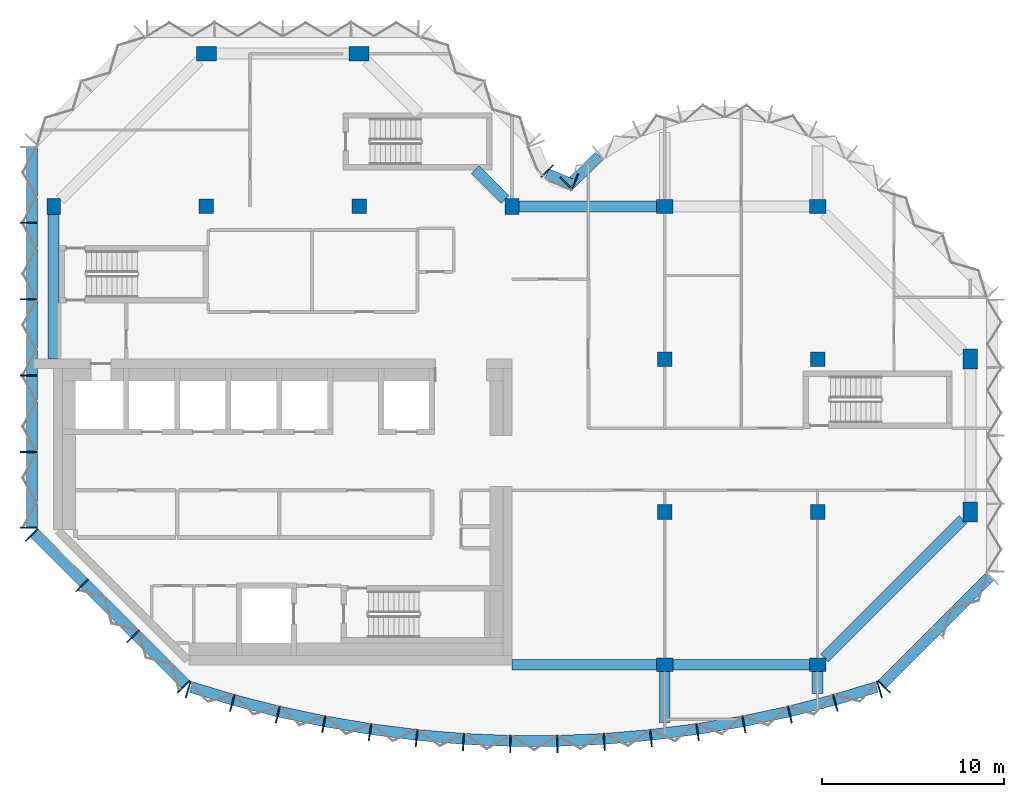
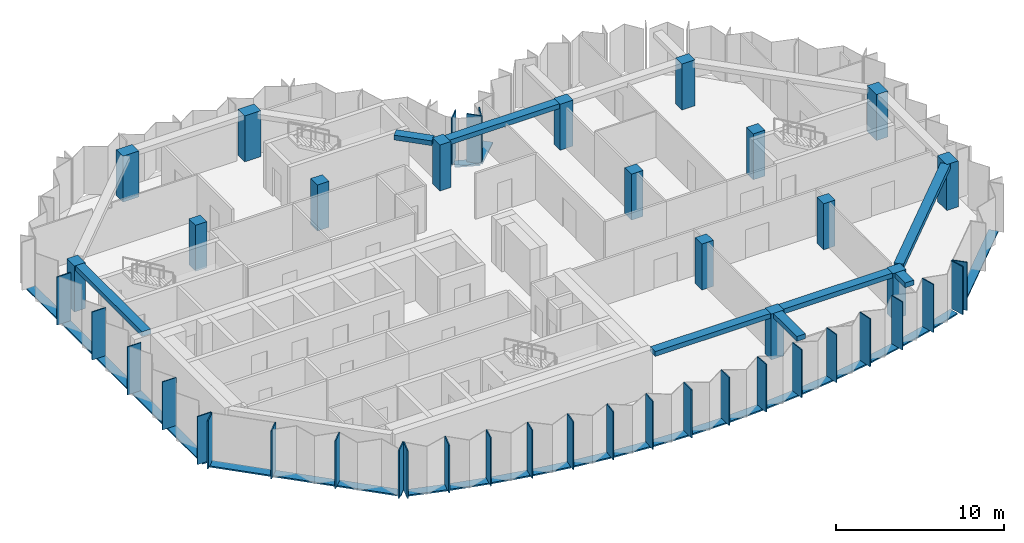
# One storey, part 1 of 10: 49 members, 16 columns, 8 beams, 6 elements without a shape of their own.
"""IFC4 building model written with IfcOpenShell, lengths in metres."""

from ifc_helpers import new_model, si_unit, direction, frame, origin, origin_2d, place, context, subcontext, project, spatial, rectangle, extrude, material, material_profile, profile_set, type_object, element, aggregate, save


model = new_model("IFC4")

# Units and contexts
model_context = context("Model", 3, precision=1e-05, world=origin(), true_north=direction((0.0, 1.0)))
body_context = subcontext(model_context, "Body", "Model", "MODEL_VIEW")
ifc_project = project(units=[si_unit("LENGTHUNIT", "METRE"), si_unit("AREAUNIT", "SQUARE_METRE"), si_unit("VOLUMEUNIT", "CUBIC_METRE"), si_unit("PLANEANGLEUNIT", "RADIAN"), si_unit("MASSUNIT", "GRAM", prefix="KILO")], contexts=[model_context])

# Site, building, storey
site_placement = place(None, origin())
site = spatial("IfcSite", under=ifc_project, at=site_placement, CompositionType="ELEMENT")
building_placement = place(site_placement, origin())
building = spatial("IfcBuilding", under=site, at=building_placement, Name="Brevane Broadcast Tower", CompositionType="ELEMENT")
storey_placement = place(building_placement, frame((0.0, 0.0, 233.699951171875)))
storey = spatial("IfcBuildingStorey", under=building, at=storey_placement, Name="L59", CompositionType="ELEMENT", Elevation=233.699951171875)

# Columns
ifc_material_1 = material(Name="Concrete C50/60", Category="concrete")
ifc_material_profile_1 = material_profile(ifc_material_1, rectangle(XDim=0.75, YDim=0.89990234375, at=origin_2d()), Name="RC 750x900")
ifc_profile_set_1 = profile_set([ifc_material_profile_1], Name="Concrete C50/60")
column_type_1 = type_object("IfcColumnType", Name="RC COLUMN EDGE 750x900 C50/60", PredefinedType="COLUMN", material=ifc_profile_set_1)
for number, where, z_axis, x_axis, name in (
    (1, (0.0, 25.199951171875, 0.0), (0.0, 0.0, 1.0), (1.0, 0.0, 0.0), "CE14 1/D"),
    (2, (25.199951171875, 25.199951171875, 0.0), (0.0, 0.0, 1.0), (1.0, 0.0, 0.0), "CE14 4/D"),
    (3, (33.60009765625, 0.0, 0.0), (0.0, 0.0, 1.0), (0.0, 1.0, 0.0), "CE14 5/A"),
    (4, (33.60009765625, 25.199951171875, 0.0), (0.0, 0.0, 1.0), (0.0, 1.0, 0.0), "CE14 5/D"),
    (5, (42.0, 0.0, 0.0), (0.0, 0.0, 1.0), (0.0, 1.0, 0.0), "CE14 6/A"),
    (6, (42.0, 25.199951171875, 0.0), (0.0, 0.0, 1.0), (0.0, 1.0, 0.0), "CE14 6/D"),
):
    element("IfcColumn", number, at=place(storey_placement, frame(where, z_axis=z_axis, x_axis=x_axis)), inside=storey, type_object=column_type_1, Name=name, PredefinedType="COLUMN", context=body_context, shape_type="SweptSolid", body=[
        extrude(rectangle(XDim=0.75, YDim=0.89990234375, at=origin_2d()), origin(), (0.0, 0.0, 1.0), 3.35009765625),
    ])
ifc_material_profile_2 = material_profile(ifc_material_1, rectangle(XDim=0.800048828125, YDim=0.800048828125, at=origin_2d()), Name="RC 800x800")
ifc_profile_set_2 = profile_set([ifc_material_profile_2], Name="Concrete C50/60")
column_type_2 = type_object("IfcColumnType", Name="RC COLUMN INTERIOR 800x800 C50/60", PredefinedType="COLUMN", material=ifc_profile_set_2)
for number, where, z_axis, x_axis, name in (
    (7, (8.39990234375, 25.199951171875, 0.0), (0.0, 0.0, 1.0), (1.0, 0.0, 0.0), "CI15 2/D"),
    (8, (16.800048828125, 25.199951171875, 0.0), (0.0, 0.0, 1.0), (1.0, 0.0, 0.0), "CI15 3/D"),
    (9, (33.60009765625, 8.39990234375, 0.0), (0.0, 0.0, 1.0), (1.0, 0.0, 0.0), "CI15 5/B"),
    (10, (33.60009765625, 16.800048828125, 0.0), (0.0, 0.0, 1.0), (1.0, 0.0, 0.0), "CI15 5/C"),
    (11, (42.0, 8.39990234375, 0.0), (0.0, 0.0, 1.0), (1.0, 0.0, 0.0), "CI15 6/B"),
    (12, (42.0, 16.800048828125, 0.0), (0.0, 0.0, 1.0), (1.0, 0.0, 0.0), "CI15 6/C"),
):
    element("IfcColumn", number, at=place(storey_placement, frame(where, z_axis=z_axis, x_axis=x_axis)), inside=storey, type_object=column_type_2, Name=name, PredefinedType="COLUMN", context=body_context, shape_type="SweptSolid", body=[
        extrude(rectangle(XDim=0.800048828125, YDim=0.800048828125, at=origin_2d()), origin(), (0.0, 0.0, 1.0), 3.35009765625),
    ])
ifc_material_profile_3 = material_profile(ifc_material_1, rectangle(XDim=0.800048828125, YDim=1.10009765625, at=origin_2d()), Name="RC 800x1100")
ifc_profile_set_3 = profile_set([ifc_material_profile_3], Name="Concrete C50/60")
column_type_3 = type_object("IfcColumnType", Name="RC COLUMN WING-END 800x1100 C50/60", PredefinedType="COLUMN", material=ifc_profile_set_3)
for number, where, z_axis, x_axis, name in (
    (13, (8.39990234375, 33.60009765625, 0.0), (0.0, 0.0, 1.0), (0.0, 1.0, 0.0), "CW16 2/E"),
    (14, (16.800048828125, 33.60009765625, 0.0), (0.0, 0.0, 1.0), (0.0, 1.0, 0.0), "CW16 3/E"),
    (15, (50.39990234375, 8.39990234375, 0.0), (0.0, 0.0, 1.0), (1.0, 0.0, 0.0), "CW16 7/B"),
    (16, (50.39990234375, 16.800048828125, 0.0), (0.0, 0.0, 1.0), (1.0, 0.0, 0.0), "CW16 7/C"),
):
    element("IfcColumn", number, at=place(storey_placement, frame(where, z_axis=z_axis, x_axis=x_axis)), inside=storey, type_object=column_type_3, Name=name, PredefinedType="COLUMN", context=body_context, shape_type="SweptSolid", body=[
        extrude(rectangle(XDim=0.800048828125, YDim=1.10009765625, at=origin_2d()), origin(), (0.0, 0.0, 1.0), 3.35009765625),
    ])

# Curtain wall, members
ifc_material_2 = material(Name="Aluminium 6063-T6 bronze anodised", Category="aluminium")
curtain_wall_type = type_object("IfcCurtainWallType", Name="CW-1 curtain wall", PredefinedType="NOTDEFINED", material=ifc_material_2)
curtain_wall_1_placement = place(storey_placement, origin())
curtain_wall_1 = element("IfcCurtainWall", 17, at=curtain_wall_1_placement, inside=storey, type_object=curtain_wall_type, Name="CW-1 typical tilted unit L59 south bow", PredefinedType="NOTDEFINED")
ifc_material_profile_4 = material_profile(ifc_material_2, rectangle(XDim=0.949951171875, YDim=0.070068359375, at=origin_2d()), Name="RECT 70x950")
ifc_profile_set_4 = profile_set([ifc_material_profile_4], Name="Aluminium 6063-T6 bronze anodised")
member_type_1 = type_object("IfcMemberType", Name="CW-1 mullion 70x950", PredefinedType="MULLION", material=ifc_profile_set_4)
member_1_placement = place(storey_placement, frame((7.396240234375, -1.36474609375, -0.14990234375), z_axis=(0.0, 0.0, 1.0), x_axis=(0.288968122518, 0.957338719664, 0.0)))
member_1 = element("IfcMember", 18, at=member_1_placement, type_object=member_type_1, Name="CW-1 mullion", PredefinedType="MULLION", context=body_context, shape_type="SweptSolid", body=[
    extrude(rectangle(XDim=0.949951171875, YDim=0.070068359375, at=origin_2d()), origin(), (0.0, 0.0, 1.0), 3.5),
])
member_2_placement = place(storey_placement, frame((9.824951171875, -2.097900390625, -0.14990234375), z_axis=(0.0, 0.0, 1.0), x_axis=(0.268915519935, 0.963163767559, 0.0)))
member_2 = element("IfcMember", 19, at=member_2_placement, type_object=member_type_1, Name="CW-1 mullion", PredefinedType="MULLION", context=body_context, shape_type="SweptSolid", body=[
    extrude(rectangle(XDim=0.949951171875, YDim=0.070068359375, at=origin_2d()), origin(), (0.0, 0.0, 1.0), 3.5),
])
member_3_placement = place(storey_placement, frame((12.325439453125, -2.739990234375, -0.14990234375), z_axis=(0.0, 0.0, 1.0), x_axis=(0.228467410001, 0.97355156133, 0.0)))
member_3 = element("IfcMember", 20, at=member_3_placement, type_object=member_type_1, Name="CW-1 mullion", PredefinedType="MULLION", context=body_context, shape_type="SweptSolid", body=[
    extrude(rectangle(XDim=0.949951171875, YDim=0.070068359375, at=origin_2d()), origin(), (0.0, 0.0, 1.0), 3.5),
])
member_4_placement = place(storey_placement, frame((14.8505859375, -3.277099609375, -0.14990234375), z_axis=(0.0, 0.0, 1.0), x_axis=(0.187620976959, 0.982241502384, 0.0)))
member_4 = element("IfcMember", 21, at=member_4_placement, type_object=member_type_1, Name="CW-1 mullion", PredefinedType="MULLION", context=body_context, shape_type="SweptSolid", body=[
    extrude(rectangle(XDim=0.949951171875, YDim=0.070068359375, at=origin_2d()), origin(), (0.0, 0.0, 1.0), 3.5),
])
member_5_placement = place(storey_placement, frame((17.395751953125, -3.70849609375, -0.14990234375), z_axis=(0.0, 0.0, 1.0), x_axis=(0.146447392256, 0.989218459847, 0.0)))
member_5 = element("IfcMember", 22, at=member_5_placement, type_object=member_type_1, Name="CW-1 mullion", PredefinedType="MULLION", context=body_context, shape_type="SweptSolid", body=[
    extrude(rectangle(XDim=0.949951171875, YDim=0.070068359375, at=origin_2d()), origin(), (0.0, 0.0, 1.0), 3.5),
])
member_6_placement = place(storey_placement, frame((19.95703125, -4.033203125, -0.14990234375), z_axis=(0.0, 0.0, 1.0), x_axis=(0.105018395305, 0.994470279419, 0.0)))
member_6 = element("IfcMember", 23, at=member_6_placement, type_object=member_type_1, Name="CW-1 mullion", PredefinedType="MULLION", context=body_context, shape_type="SweptSolid", body=[
    extrude(rectangle(XDim=0.949951171875, YDim=0.070068359375, at=origin_2d()), origin(), (0.0, 0.0, 1.0), 3.5),
])
member_7_placement = place(storey_placement, frame((22.529296875, -4.250732421875, -0.14990234375), z_axis=(0.0, 0.0, 1.0), x_axis=(0.063406169479, 0.99798780437, 0.0)))
member_7 = element("IfcMember", 24, at=member_7_placement, type_object=member_type_1, Name="CW-1 mullion", PredefinedType="MULLION", context=body_context, shape_type="SweptSolid", body=[
    extrude(rectangle(XDim=0.949951171875, YDim=0.070068359375, at=origin_2d()), origin(), (0.0, 0.0, 1.0), 3.5),
])
member_8_placement = place(storey_placement, frame((25.10888671875, -4.360595703125, -0.14990234375), z_axis=(0.0, 0.0, 1.0), x_axis=(0.021281828243, 0.999773516246, 0.0)))
member_8 = element("IfcMember", 25, at=member_8_placement, type_object=member_type_1, Name="CW-1 mullion", PredefinedType="MULLION", context=body_context, shape_type="SweptSolid", body=[
    extrude(rectangle(XDim=0.949951171875, YDim=0.070068359375, at=origin_2d()), origin(), (0.0, 0.0, 1.0), 3.5),
])
member_9_placement = place(storey_placement, frame((27.691162109375, -4.360595703125, -0.14990234375), z_axis=(0.0, 0.0, 1.0), x_axis=(-0.021281828243, 0.999773516246, 0.0)))
member_9 = element("IfcMember", 26, at=member_9_placement, type_object=member_type_1, Name="CW-1 mullion", PredefinedType="MULLION", context=body_context, shape_type="SweptSolid", body=[
    extrude(rectangle(XDim=0.949951171875, YDim=0.070068359375, at=origin_2d()), origin(), (0.0, 0.0, 1.0), 3.5),
])
member_10_placement = place(storey_placement, frame((30.2705078125, -4.250732421875, -0.14990234375), z_axis=(0.0, 0.0, 1.0), x_axis=(-0.063406169479, 0.99798780437, 0.0)))
member_10 = element("IfcMember", 27, at=member_10_placement, type_object=member_type_1, Name="CW-1 mullion", PredefinedType="MULLION", context=body_context, shape_type="SweptSolid", body=[
    extrude(rectangle(XDim=0.949951171875, YDim=0.070068359375, at=origin_2d()), origin(), (0.0, 0.0, 1.0), 3.5),
])
member_11_placement = place(storey_placement, frame((32.843017578125, -4.033203125, -0.14990234375), z_axis=(0.0, 0.0, 1.0), x_axis=(-0.105018395305, 0.994470279419, 0.0)))
member_11 = element("IfcMember", 28, at=member_11_placement, type_object=member_type_1, Name="CW-1 mullion", PredefinedType="MULLION", context=body_context, shape_type="SweptSolid", body=[
    extrude(rectangle(XDim=0.949951171875, YDim=0.070068359375, at=origin_2d()), origin(), (0.0, 0.0, 1.0), 3.5),
])
member_12_placement = place(storey_placement, frame((35.404296875, -3.70849609375, -0.14990234375), z_axis=(0.0, 0.0, 1.0), x_axis=(-0.146447392256, 0.989218459847, 0.0)))
member_12 = element("IfcMember", 29, at=member_12_placement, type_object=member_type_1, Name="CW-1 mullion", PredefinedType="MULLION", context=body_context, shape_type="SweptSolid", body=[
    extrude(rectangle(XDim=0.949951171875, YDim=0.070068359375, at=origin_2d()), origin(), (0.0, 0.0, 1.0), 3.5),
])
member_13_placement = place(storey_placement, frame((37.949462890625, -3.277099609375, -0.14990234375), z_axis=(0.0, 0.0, 1.0), x_axis=(-0.187620976959, 0.982241502384, 0.0)))
member_13 = element("IfcMember", 30, at=member_13_placement, type_object=member_type_1, Name="CW-1 mullion", PredefinedType="MULLION", context=body_context, shape_type="SweptSolid", body=[
    extrude(rectangle(XDim=0.949951171875, YDim=0.070068359375, at=origin_2d()), origin(), (0.0, 0.0, 1.0), 3.5),
])
member_14_placement = place(storey_placement, frame((40.474609375, -2.739990234375, -0.14990234375), z_axis=(0.0, 0.0, 1.0), x_axis=(-0.228467410001, 0.97355156133, 0.0)))
member_14 = element("IfcMember", 31, at=member_14_placement, type_object=member_type_1, Name="CW-1 mullion", PredefinedType="MULLION", context=body_context, shape_type="SweptSolid", body=[
    extrude(rectangle(XDim=0.949951171875, YDim=0.070068359375, at=origin_2d()), origin(), (0.0, 0.0, 1.0), 3.5),
])
member_15_placement = place(storey_placement, frame((42.97509765625, -2.097900390625, -0.14990234375), z_axis=(0.0, 0.0, 1.0), x_axis=(-0.268915519935, 0.963163767559, 0.0)))
member_15 = element("IfcMember", 32, at=member_15_placement, type_object=member_type_1, Name="CW-1 mullion", PredefinedType="MULLION", context=body_context, shape_type="SweptSolid", body=[
    extrude(rectangle(XDim=0.949951171875, YDim=0.070068359375, at=origin_2d()), origin(), (0.0, 0.0, 1.0), 3.5),
])
member_16_placement = place(storey_placement, frame((45.40380859375, -1.36474609375, -0.14990234375), z_axis=(0.0, 0.0, 1.0), x_axis=(-0.288968122518, 0.957338719664, 0.0)))
member_16 = element("IfcMember", 33, at=member_16_placement, type_object=member_type_1, Name="CW-1 mullion", PredefinedType="MULLION", context=body_context, shape_type="SweptSolid", body=[
    extrude(rectangle(XDim=0.949951171875, YDim=0.070068359375, at=origin_2d()), origin(), (0.0, 0.0, 1.0), 3.5),
])

# Curtain wall, member
curtain_wall_2_placement = place(storey_placement, origin())
curtain_wall_2 = element("IfcCurtainWall", 34, at=curtain_wall_2_placement, inside=storey, type_object=curtain_wall_type, Name="CW-1 typical tilted unit L59 south-east chamfer", PredefinedType="NOTDEFINED")
member_17_placement = place(storey_placement, frame((45.66064453125, -1.211181640625, -0.14990234375), z_axis=(0.0, 0.0, 1.0), x_axis=(-0.707106781187, 0.707106781187, 0.0)))
member_17 = element("IfcMember", 35, at=member_17_placement, type_object=member_type_1, Name="CW-1 mullion", PredefinedType="MULLION", context=body_context, shape_type="SweptSolid", body=[
    extrude(rectangle(XDim=0.949951171875, YDim=0.070068359375, at=origin_2d()), origin(), (0.0, 0.0, 1.0), 3.5),
])

curtain_wall_3_placement = place(storey_placement, origin())
curtain_wall_3 = element("IfcCurtainWall", 36, at=curtain_wall_3_placement, inside=storey, type_object=curtain_wall_type, Name="CW-1 typical tilted unit L59 east bow", PredefinedType="NOTDEFINED")
member_18_placement = place(storey_placement, frame((28.194091796875, 26.465087890625, -0.14990234375), z_axis=(0.0, 0.0, 1.0), x_axis=(0.696812089895, -0.717253728729, 0.0)))
member_18 = element("IfcMember", 37, at=member_18_placement, type_object=member_type_1, Name="CW-1 mullion", PredefinedType="MULLION", context=body_context, shape_type="SweptSolid", body=[
    extrude(rectangle(XDim=0.949951171875, YDim=0.070068359375, at=origin_2d()), origin(), (0.0, 0.0, 1.0), 3.5),
])

# Curtain wall, members
curtain_wall_4_placement = place(storey_placement, origin())
curtain_wall_4 = element("IfcCurtainWall", 38, at=curtain_wall_4_placement, inside=storey, type_object=curtain_wall_type, Name="CW-1 typical tilted unit L59 inner corner", PredefinedType="NOTDEFINED")
member_19_placement = place(storey_placement, frame((28.6494140625, 26.55224609375, -0.14990234375), z_axis=(0.0, 0.0, 1.0), x_axis=(-0.382683432365, -0.923879532511, 0.0)))
member_19 = element("IfcMember", 39, at=member_19_placement, type_object=member_type_1, Name="CW-1 mullion", PredefinedType="MULLION", context=body_context, shape_type="SweptSolid", body=[
    extrude(rectangle(XDim=0.949951171875, YDim=0.070068359375, at=origin_2d()), origin(), (0.0, 0.0, 1.0), 3.5),
])
member_20_placement = place(storey_placement, frame((27.138916015625, 27.138916015625, -0.14990234375), z_axis=(0.0, 0.0, 1.0), x_axis=(-0.707106781187, -0.707106781187, 0.0)))
member_20 = element("IfcMember", 40, at=member_20_placement, type_object=member_type_1, Name="CW-1 mullion", PredefinedType="MULLION", context=body_context, shape_type="SweptSolid", body=[
    extrude(rectangle(XDim=0.949951171875, YDim=0.070068359375, at=origin_2d()), origin(), (0.0, 0.0, 1.0), 3.5),
])

curtain_wall_5_placement = place(storey_placement, origin())
curtain_wall_5 = element("IfcCurtainWall", 41, at=curtain_wall_5_placement, inside=storey, type_object=curtain_wall_type, Name="CW-1 typical tilted unit L59 west face", PredefinedType="NOTDEFINED")
member_21_placement = place(storey_placement, frame((-1.375, 24.300048828125, -0.14990234375), z_axis=(0.0, 0.0, 1.0), x_axis=(1.0, 0.0, 0.0)))
member_21 = element("IfcMember", 42, at=member_21_placement, type_object=member_type_1, Name="CW-1 mullion", PredefinedType="MULLION", context=body_context, shape_type="SweptSolid", body=[
    extrude(rectangle(XDim=0.949951171875, YDim=0.070068359375, at=origin_2d()), origin(), (0.0, 0.0, 1.0), 3.5),
])
member_22_placement = place(storey_placement, frame((-1.375, 20.10009765625, -0.14990234375), z_axis=(0.0, 0.0, 1.0), x_axis=(1.0, 0.0, 0.0)))
member_22 = element("IfcMember", 43, at=member_22_placement, type_object=member_type_1, Name="CW-1 mullion", PredefinedType="MULLION", context=body_context, shape_type="SweptSolid", body=[
    extrude(rectangle(XDim=0.949951171875, YDim=0.070068359375, at=origin_2d()), origin(), (0.0, 0.0, 1.0), 3.5),
])
member_23_placement = place(storey_placement, frame((-1.375, 15.89990234375, -0.14990234375), z_axis=(0.0, 0.0, 1.0), x_axis=(1.0, 0.0, 0.0)))
member_23 = element("IfcMember", 44, at=member_23_placement, type_object=member_type_1, Name="CW-1 mullion", PredefinedType="MULLION", context=body_context, shape_type="SweptSolid", body=[
    extrude(rectangle(XDim=0.949951171875, YDim=0.070068359375, at=origin_2d()), origin(), (0.0, 0.0, 1.0), 3.5),
])
member_24_placement = place(storey_placement, frame((-1.375, 11.699951171875, -0.14990234375), z_axis=(0.0, 0.0, 1.0), x_axis=(1.0, 0.0, 0.0)))
member_24 = element("IfcMember", 45, at=member_24_placement, type_object=member_type_1, Name="CW-1 mullion", PredefinedType="MULLION", context=body_context, shape_type="SweptSolid", body=[
    extrude(rectangle(XDim=0.949951171875, YDim=0.070068359375, at=origin_2d()), origin(), (0.0, 0.0, 1.0), 3.5),
])
member_25_placement = place(storey_placement, frame((-1.375, 7.534912109375, -0.14990234375), z_axis=(0.0, 0.0, 1.0), x_axis=(1.0, 0.0, 0.0)))
member_25 = element("IfcMember", 46, at=member_25_placement, type_object=member_type_1, Name="CW-1 mullion", PredefinedType="MULLION", context=body_context, shape_type="SweptSolid", body=[
    extrude(rectangle(XDim=0.949951171875, YDim=0.070068359375, at=origin_2d()), origin(), (0.0, 0.0, 1.0), 3.5),
])

curtain_wall_6_placement = place(storey_placement, origin())
curtain_wall_6 = element("IfcCurtainWall", 47, at=curtain_wall_6_placement, inside=storey, type_object=curtain_wall_type, Name="CW-1 typical tilted unit L59 south-west chamfer", PredefinedType="NOTDEFINED")
member_26_placement = place(storey_placement, frame((-1.211181640625, 7.139404296875, -0.14990234375), z_axis=(0.0, 0.0, 1.0), x_axis=(0.707106781187, 0.707106781187, 0.0)))
member_26 = element("IfcMember", 48, at=member_26_placement, type_object=member_type_1, Name="CW-1 mullion", PredefinedType="MULLION", context=body_context, shape_type="SweptSolid", body=[
    extrude(rectangle(XDim=0.949951171875, YDim=0.070068359375, at=origin_2d()), origin(), (0.0, 0.0, 1.0), 3.5),
])
member_27_placement = place(storey_placement, frame((1.564208984375, 4.364013671875, -0.14990234375), z_axis=(0.0, 0.0, 1.0), x_axis=(0.707106781187, 0.707106781187, 0.0)))
member_27 = element("IfcMember", 49, at=member_27_placement, type_object=member_type_1, Name="CW-1 mullion", PredefinedType="MULLION", context=body_context, shape_type="SweptSolid", body=[
    extrude(rectangle(XDim=0.949951171875, YDim=0.070068359375, at=origin_2d()), origin(), (0.0, 0.0, 1.0), 3.5),
])
member_28_placement = place(storey_placement, frame((4.364013671875, 1.564208984375, -0.14990234375), z_axis=(0.0, 0.0, 1.0), x_axis=(0.707106781187, 0.707106781187, 0.0)))
member_28 = element("IfcMember", 50, at=member_28_placement, type_object=member_type_1, Name="CW-1 mullion", PredefinedType="MULLION", context=body_context, shape_type="SweptSolid", body=[
    extrude(rectangle(XDim=0.949951171875, YDim=0.070068359375, at=origin_2d()), origin(), (0.0, 0.0, 1.0), 3.5),
])
member_29_placement = place(storey_placement, frame((7.139404296875, -1.211181640625, -0.14990234375), z_axis=(0.0, 0.0, 1.0), x_axis=(0.707106781187, 0.707106781187, 0.0)))
member_29 = element("IfcMember", 51, at=member_29_placement, type_object=member_type_1, Name="CW-1 mullion", PredefinedType="MULLION", context=body_context, shape_type="SweptSolid", body=[
    extrude(rectangle(XDim=0.949951171875, YDim=0.070068359375, at=origin_2d()), origin(), (0.0, 0.0, 1.0), 3.5),
])

# Member
ifc_material_profile_5 = material_profile(ifc_material_2, rectangle(XDim=0.60009765625, YDim=0.10009765625, at=origin_2d()), Name="RECT 100x600")
ifc_profile_set_5 = profile_set([ifc_material_profile_5], Name="Aluminium 6063-T6 bronze anodised")
member_type_2 = type_object("IfcMemberType", Name="CW-1 transom 100x600", PredefinedType="USERDEFINED", material=ifc_profile_set_5)
member_30_placement = place(storey_placement, frame((7.553955078125, -1.229736328125, -0.199951171875), z_axis=(0.957362578524, -0.288889067362, 0.0), x_axis=(0.288889067362, 0.957362578524, 0.0)))
member_30 = element("IfcMember", 52, at=member_30_placement, type_object=member_type_2, Name="CW-1 transom", ObjectType="TRANSOM", PredefinedType="USERDEFINED", context=body_context, shape_type="SweptSolid", body=[
    extrude(rectangle(XDim=0.60009765625, YDim=0.10009765625, at=origin_2d()), origin(), (0.0, 0.0, 1.0), 2.411865234375),
])

member_31_placement = place(storey_placement, frame((9.8759765625, -1.930419921875, -0.199951171875), z_axis=(0.968569727699, -0.248742201052, 0.0), x_axis=(0.248742201052, 0.968569727699, 0.0)))
member_31 = element("IfcMember", 53, at=member_31_placement, type_object=member_type_2, Name="CW-1 transom", ObjectType="TRANSOM", PredefinedType="USERDEFINED", context=body_context, shape_type="SweptSolid", body=[
    extrude(rectangle(XDim=0.60009765625, YDim=0.10009765625, at=origin_2d()), origin(), (0.0, 0.0, 1.0), 2.561767578125),
])

member_32_placement = place(storey_placement, frame((12.370361328125, -2.57080078125, -0.199951171875), z_axis=(0.978117897278, -0.208051385536, 0.0), x_axis=(0.208051385536, 0.978117897278, 0.0)))
member_32 = element("IfcMember", 54, at=member_32_placement, type_object=member_type_2, Name="CW-1 transom", ObjectType="TRANSOM", PredefinedType="USERDEFINED", context=body_context, shape_type="SweptSolid", body=[
    extrude(rectangle(XDim=0.60009765625, YDim=0.10009765625, at=origin_2d()), origin(), (0.0, 0.0, 1.0), 2.561767578125),
])

member_33_placement = place(storey_placement, frame((14.88916015625, -3.1064453125, -0.199951171875), z_axis=(0.985947338221, -0.167056416383, 0.0), x_axis=(0.167056416383, 0.985947338221, 0.0)))
member_33 = element("IfcMember", 55, at=member_33_placement, type_object=member_type_2, Name="CW-1 transom", ObjectType="TRANSOM", PredefinedType="USERDEFINED", context=body_context, shape_type="SweptSolid", body=[
    extrude(rectangle(XDim=0.60009765625, YDim=0.10009765625, at=origin_2d()), origin(), (0.0, 0.0, 1.0), 2.561767578125),
])

member_34_placement = place(storey_placement, frame((17.428466796875, -3.536376953125, -0.199951171875), z_axis=(0.99206678005, -0.12571198798, 0.0), x_axis=(0.12571198798, 0.99206678005, 0.0)))
member_34 = element("IfcMember", 56, at=member_34_placement, type_object=member_type_2, Name="CW-1 transom", ObjectType="TRANSOM", PredefinedType="USERDEFINED", context=body_context, shape_type="SweptSolid", body=[
    extrude(rectangle(XDim=0.60009765625, YDim=0.10009765625, at=origin_2d()), origin(), (0.0, 0.0, 1.0), 2.5615234375),
])

member_35_placement = place(storey_placement, frame((19.983154296875, -3.85986328125, -0.199951171875), z_axis=(0.99644513768, -0.084244214012, 0.0), x_axis=(0.084244214012, 0.99644513768, 0.0)))
member_35 = element("IfcMember", 57, at=member_35_placement, type_object=member_type_2, Name="CW-1 transom", ObjectType="TRANSOM", PredefinedType="USERDEFINED", context=body_context, shape_type="SweptSolid", body=[
    extrude(rectangle(XDim=0.60009765625, YDim=0.10009765625, at=origin_2d()), origin(), (0.0, 0.0, 1.0), 2.561767578125),
])

member_36_placement = place(storey_placement, frame((22.54931640625, -4.076416015625, -0.199951171875), z_axis=(0.999092306129, -0.042597697524, 0.0), x_axis=(0.042597697524, 0.999092306129, 0.0)))
member_36 = element("IfcMember", 58, at=member_36_placement, type_object=member_type_2, Name="CW-1 transom", ObjectType="TRANSOM", PredefinedType="USERDEFINED", context=body_context, shape_type="SweptSolid", body=[
    extrude(rectangle(XDim=0.60009765625, YDim=0.10009765625, at=origin_2d()), origin(), (0.0, 0.0, 1.0), 2.56201171875),
])

member_37_placement = place(storey_placement, frame((25.122314453125, -4.185546875, -0.199951171875), z_axis=(1.0, 0.0, 0.0), x_axis=(0.0, 1.0, 0.0)))
member_37 = element("IfcMember", 59, at=member_37_placement, type_object=member_type_2, Name="CW-1 transom", ObjectType="TRANSOM", PredefinedType="USERDEFINED", context=body_context, shape_type="SweptSolid", body=[
    extrude(rectangle(XDim=0.60009765625, YDim=0.10009765625, at=origin_2d()), origin(), (0.0, 0.0, 1.0), 2.56201171875),
])

member_38_placement = place(storey_placement, frame((27.691162109375, -4.185546875, -0.199951171875), z_axis=(0.999092133182, 0.042601753652, 0.0), x_axis=(-0.042601753652, 0.999092133182, 0.0)))
member_38 = element("IfcMember", 60, at=member_38_placement, type_object=member_type_2, Name="CW-1 transom", ObjectType="TRANSOM", PredefinedType="USERDEFINED", context=body_context, shape_type="SweptSolid", body=[
    extrude(rectangle(XDim=0.60009765625, YDim=0.10009765625, at=origin_2d()), origin(), (0.0, 0.0, 1.0), 2.561767578125),
])

member_39_placement = place(storey_placement, frame((30.26416015625, -4.07568359375, -0.199951171875), z_axis=(0.99644513768, 0.084244214012, 0.0), x_axis=(-0.084244214012, 0.99644513768, 0.0)))
member_39 = element("IfcMember", 61, at=member_39_placement, type_object=member_type_2, Name="CW-1 transom", ObjectType="TRANSOM", PredefinedType="USERDEFINED", context=body_context, shape_type="SweptSolid", body=[
    extrude(rectangle(XDim=0.60009765625, YDim=0.10009765625, at=origin_2d()), origin(), (0.0, 0.0, 1.0), 2.561767578125),
])

member_40_placement = place(storey_placement, frame((32.830322265625, -3.8583984375, -0.199951171875), z_axis=(0.99206678005, 0.12571198798, 0.0), x_axis=(-0.12571198798, 0.99206678005, 0.0)))
member_40 = element("IfcMember", 62, at=member_40_placement, type_object=member_type_2, Name="CW-1 transom", ObjectType="TRANSOM", PredefinedType="USERDEFINED", context=body_context, shape_type="SweptSolid", body=[
    extrude(rectangle(XDim=0.60009765625, YDim=0.10009765625, at=origin_2d()), origin(), (0.0, 0.0, 1.0), 2.5615234375),
])

member_41_placement = place(storey_placement, frame((35.385009765625, -3.534423828125, -0.199951171875), z_axis=(0.9859446783, 0.167072114167, 0.0), x_axis=(-0.167072114167, 0.9859446783, 0.0)))
member_41 = element("IfcMember", 63, at=member_41_placement, type_object=member_type_2, Name="CW-1 transom", ObjectType="TRANSOM", PredefinedType="USERDEFINED", context=body_context, shape_type="SweptSolid", body=[
    extrude(rectangle(XDim=0.60009765625, YDim=0.10009765625, at=origin_2d()), origin(), (0.0, 0.0, 1.0), 2.5615234375),
])

member_42_placement = place(storey_placement, frame((37.924072265625, -3.103759765625, -0.199951171875), z_axis=(0.978117897278, 0.208051385536, 0.0), x_axis=(-0.208051385536, 0.978117897278, 0.0)))
member_42 = element("IfcMember", 64, at=member_42_placement, type_object=member_type_2, Name="CW-1 transom", ObjectType="TRANSOM", PredefinedType="USERDEFINED", context=body_context, shape_type="SweptSolid", body=[
    extrude(rectangle(XDim=0.60009765625, YDim=0.10009765625, at=origin_2d()), origin(), (0.0, 0.0, 1.0), 2.561767578125),
])

member_43_placement = place(storey_placement, frame((40.44287109375, -2.567626953125, -0.199951171875), z_axis=(0.968569727699, 0.248742201052, 0.0), x_axis=(-0.248742201052, 0.968569727699, 0.0)))
member_43 = element("IfcMember", 65, at=member_43_placement, type_object=member_type_2, Name="CW-1 transom", ObjectType="TRANSOM", PredefinedType="USERDEFINED", context=body_context, shape_type="SweptSolid", body=[
    extrude(rectangle(XDim=0.60009765625, YDim=0.10009765625, at=origin_2d()), origin(), (0.0, 0.0, 1.0), 2.561767578125),
])

member_44_placement = place(storey_placement, frame((42.93701171875, -1.926513671875, -0.199951171875), z_axis=(0.957362578524, 0.288889067362, 0.0), x_axis=(-0.288889067362, 0.957362578524, 0.0)))
member_44 = element("IfcMember", 66, at=member_44_placement, type_object=member_type_2, Name="CW-1 transom", ObjectType="TRANSOM", PredefinedType="USERDEFINED", context=body_context, shape_type="SweptSolid", body=[
    extrude(rectangle(XDim=0.60009765625, YDim=0.10009765625, at=origin_2d()), origin(), (0.0, 0.0, 1.0), 2.411865234375),
])

aggregate(curtain_wall_1, [member_1, member_2, member_3, member_4, member_5, member_6, member_7, member_8, member_9, member_10, member_11, member_12, member_13, member_14, member_15, member_16, member_30, member_31, member_32, member_33, member_34, member_35, member_36, member_37, member_38, member_39, member_40, member_41, member_42, member_43, member_44])

member_45_placement = place(storey_placement, frame((45.51220703125, -1.112060546875, -0.199951171875), z_axis=(0.707106781187, 0.707106781187, 0.0), x_axis=(-0.707106781187, 0.707106781187, 0.0)))
member_45 = element("IfcMember", 67, at=member_45_placement, type_object=member_type_2, Name="CW-1 transom", ObjectType="TRANSOM", PredefinedType="USERDEFINED", context=body_context, shape_type="SweptSolid", body=[
    extrude(rectangle(XDim=0.60009765625, YDim=0.10009765625, at=origin_2d()), origin(), (0.0, 0.0, 1.0), 8.4853515625),
])

aggregate(curtain_wall_2, [member_17, member_45])

member_46_placement = place(storey_placement, frame((29.99951171875, 27.974365234375, -0.199951171875), z_axis=(-0.71724215871, -0.696823999134, 0.0), x_axis=(0.696823999134, -0.71724215871, 0.0)))
member_46 = element("IfcMember", 68, at=member_46_placement, type_object=member_type_2, Name="CW-1 transom", ObjectType="TRANSOM", PredefinedType="USERDEFINED", context=body_context, shape_type="SweptSolid", body=[
    extrude(rectangle(XDim=0.60009765625, YDim=0.10009765625, at=origin_2d()), origin(), (0.0, 0.0, 1.0), 2.247802734375),
])

aggregate(curtain_wall_3, [member_18, member_46])

member_47_placement = place(storey_placement, frame((28.528076171875, 26.40673828125, -0.199951171875), z_axis=(-0.923883243627, 0.382674472816, 0.0), x_axis=(-0.382674472816, -0.923883243627, 0.0)))
member_47 = element("IfcMember", 69, at=member_47_placement, type_object=member_type_2, Name="CW-1 transom", ObjectType="TRANSOM", PredefinedType="USERDEFINED", context=body_context, shape_type="SweptSolid", body=[
    extrude(rectangle(XDim=0.60009765625, YDim=0.10009765625, at=origin_2d()), origin(), (0.0, 0.0, 1.0), 1.536865234375),
])

aggregate(curtain_wall_4, [member_19, member_20, member_47])

member_48_placement = place(storey_placement, frame((-1.199951171875, 28.5, -0.199951171875), z_axis=(0.0, -1.0, 0.0), x_axis=(1.0, 0.0, 0.0)))
member_48 = element("IfcMember", 70, at=member_48_placement, type_object=member_type_2, Name="CW-1 transom", ObjectType="TRANSOM", PredefinedType="USERDEFINED", context=body_context, shape_type="SweptSolid", body=[
    extrude(rectangle(XDim=0.60009765625, YDim=0.10009765625, at=origin_2d()), origin(), (0.0, 0.0, 1.0), 21.0),
])

aggregate(curtain_wall_5, [member_21, member_22, member_23, member_24, member_25, member_48])

member_49_placement = place(storey_placement, frame((-1.112060546875, 7.287841796875, -0.199951171875), z_axis=(0.707106781187, -0.707106781187, 0.0), x_axis=(0.707106781187, 0.707106781187, 0.0)))
member_49 = element("IfcMember", 71, at=member_49_placement, type_object=member_type_2, Name="CW-1 transom", ObjectType="TRANSOM", PredefinedType="USERDEFINED", context=body_context, shape_type="SweptSolid", body=[
    extrude(rectangle(XDim=0.60009765625, YDim=0.10009765625, at=origin_2d()), origin(), (0.0, 0.0, 1.0), 11.879150390625),
])

aggregate(curtain_wall_6, [member_26, member_27, member_28, member_29, member_49])

# Beams
ifc_material_3 = material(Name="Concrete C40/50", Category="concrete")
ifc_material_profile_6 = material_profile(ifc_material_3, rectangle(XDim=0.60009765625, YDim=0.35009765625, at=origin_2d()), Name="RC 600x350")
ifc_profile_set_6 = profile_set([ifc_material_profile_6], Name="Concrete C40/50")
beam_type_1 = type_object("IfcBeamType", Name="RC BRACKET BEAM 600x350 C40/50", PredefinedType="BEAM", material=ifc_profile_set_6)
beam_1_placement = place(storey_placement, frame((33.60009765625, -0.375, 3.175048828125), z_axis=(0.0, -1.0, 0.0), x_axis=(1.0, 0.0, 0.0)))
element("IfcBeam", 72, at=beam_1_placement, inside=storey, type_object=beam_type_1, Name="EB2 L59-1", PredefinedType="BEAM", context=body_context, shape_type="SweptSolid", body=[
    extrude(rectangle(XDim=0.60009765625, YDim=0.35009765625, at=origin_2d()), origin(), (0.0, 0.0, 1.0), 2.7958984375),
])
beam_2_placement = place(storey_placement, frame((42.0, -0.375, 3.175048828125), z_axis=(0.0, -1.0, 0.0), x_axis=(1.0, 0.0, 0.0)))
element("IfcBeam", 73, at=beam_2_placement, inside=storey, type_object=beam_type_1, Name="EB2 L59-3", PredefinedType="BEAM", context=body_context, shape_type="SweptSolid", body=[
    extrude(rectangle(XDim=0.60009765625, YDim=0.35009765625, at=origin_2d()), origin(), (0.0, 0.0, 1.0), 1.19384765625),
])
ifc_material_profile_7 = material_profile(ifc_material_3, rectangle(XDim=0.60009765625, YDim=0.35009765625, at=origin_2d()), Name="RC 600x350")
ifc_profile_set_7 = profile_set([ifc_material_profile_7], Name="Concrete C40/50")
beam_type_2 = type_object("IfcBeamType", Name="RC SPANDREL BEAM 600x350 C40/50", PredefinedType="SPANDREL", material=ifc_profile_set_7)
beam_3_placement = place(storey_placement, frame((25.199951171875, 0.0, 3.175048828125), z_axis=(1.0, 0.0, 0.0), x_axis=(0.0, 1.0, 0.0)))
element("IfcBeam", 74, at=beam_3_placement, inside=storey, type_object=beam_type_2, Name="EB1 L59-1", PredefinedType="SPANDREL", context=body_context, shape_type="SweptSolid", body=[
    extrude(rectangle(XDim=0.60009765625, YDim=0.35009765625, at=origin_2d()), origin(), (0.0, 0.0, 1.0), 7.949951171875),
])
beam_4_placement = place(storey_placement, frame((34.050048828125, 0.0, 3.175048828125), z_axis=(1.0, 0.0, 0.0), x_axis=(0.0, 1.0, 0.0)))
element("IfcBeam", 75, at=beam_4_placement, inside=storey, type_object=beam_type_2, Name="EB1 L59-2", PredefinedType="SPANDREL", context=body_context, shape_type="SweptSolid", body=[
    extrude(rectangle(XDim=0.60009765625, YDim=0.35009765625, at=origin_2d()), origin(), (0.0, 0.0, 1.0), 7.5),
])
beam_5_placement = place(storey_placement, frame((42.375, 0.375, 3.175048828125), z_axis=(0.707106781187, 0.707106781187, 0.0), x_axis=(-0.707106781187, 0.707106781187, 0.0)))
element("IfcBeam", 76, at=beam_5_placement, inside=storey, type_object=beam_type_2, Name="EB1 L59-3", PredefinedType="SPANDREL", context=body_context, shape_type="SweptSolid", body=[
    extrude(rectangle(XDim=0.60009765625, YDim=0.35009765625, at=origin_2d()), origin(), (0.0, 0.0, 1.0), 10.783447265625),
])
beam_6_placement = place(storey_placement, frame((33.14990234375, 25.199951171875, 3.175048828125), z_axis=(-1.0, 0.0, 0.0), x_axis=(0.0, -1.0, 0.0)))
element("IfcBeam", 77, at=beam_6_placement, inside=storey, type_object=beam_type_2, Name="EB1 L59-7", PredefinedType="SPANDREL", context=body_context, shape_type="SweptSolid", body=[
    extrude(rectangle(XDim=0.60009765625, YDim=0.35009765625, at=origin_2d()), origin(), (0.0, 0.0, 1.0), 7.574951171875),
])
beam_7_placement = place(storey_placement, frame((24.824951171875, 25.574951171875, 3.175048828125), z_axis=(-0.707106781187, 0.707106781187, 0.0), x_axis=(-0.707106781187, -0.707106781187, 0.0)))
element("IfcBeam", 78, at=beam_7_placement, inside=storey, type_object=beam_type_2, Name="EB1 L59-8", PredefinedType="SPANDREL", context=body_context, shape_type="SweptSolid", body=[
    extrude(rectangle(XDim=0.60009765625, YDim=0.35009765625, at=origin_2d()), origin(), (0.0, 0.0, 1.0), 2.340576171875),
])
beam_8_placement = place(storey_placement, frame((0.0, 24.75, 3.175048828125), z_axis=(0.0, -1.0, 0.0), x_axis=(1.0, 0.0, 0.0)))
element("IfcBeam", 79, at=beam_8_placement, inside=storey, type_object=beam_type_2, Name="EB1 L59-11", PredefinedType="SPANDREL", context=body_context, shape_type="SweptSolid", body=[
    extrude(rectangle(XDim=0.60009765625, YDim=0.35009765625, at=origin_2d()), origin(), (0.0, 0.0, 1.0), 7.949951171875),
])

save(model, "model.ifc")
